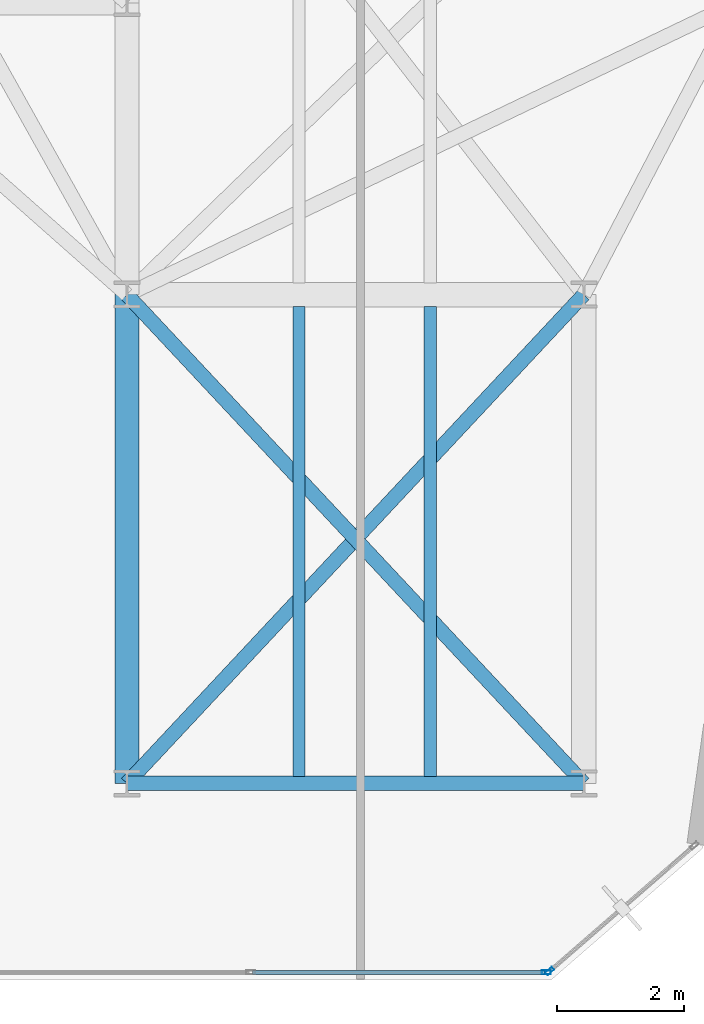
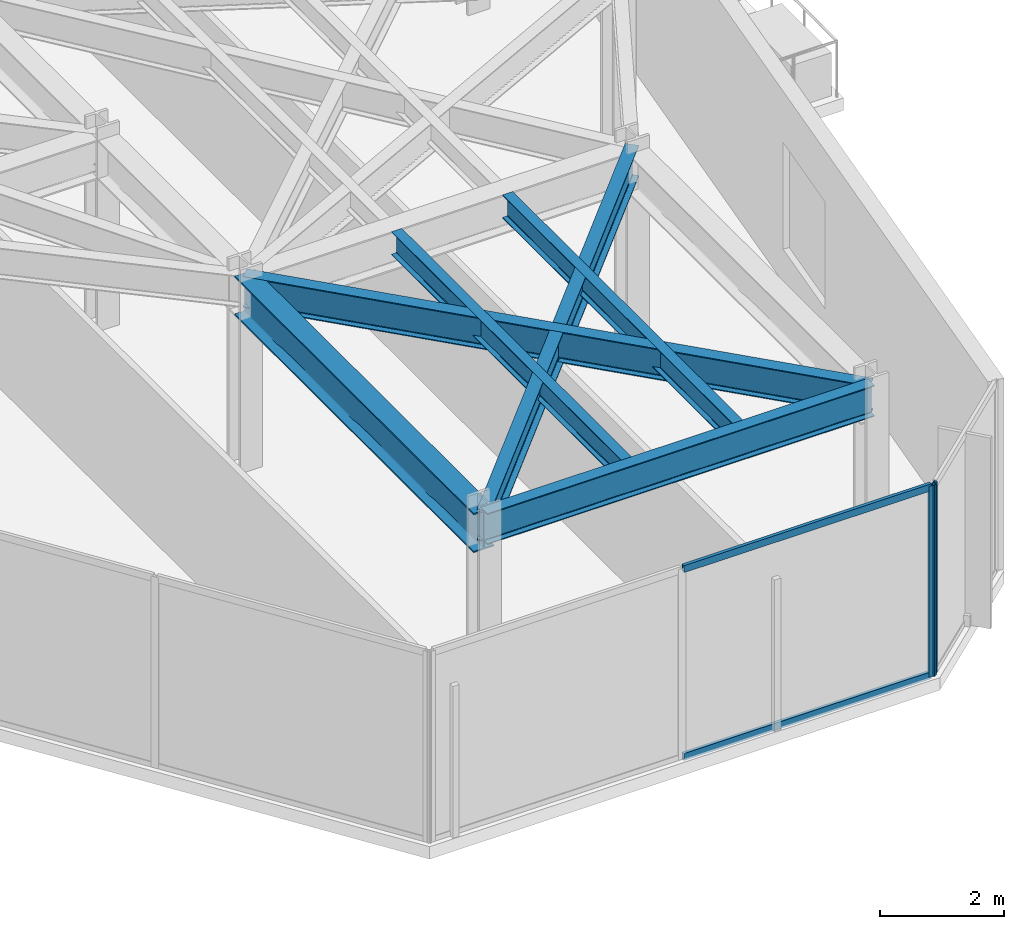
# One storey, part 17 of 26: 6 beams, 4 members, 2 elements without a shape of their own.
"""IFC4 building model written with IfcOpenShell, lengths in metres."""

from ifc_helpers import new_model, si_unit, direction, frame, origin, origin_2d, place, context, subcontext, project, spatial, hollow_rectangle, i_section, extrude, material, layer, layer_set, material_profile, profile_set, type_object, element, aggregate, save


model = new_model("IFC4")

# Units and contexts
model_context = context("Model", 3, precision=1e-05, world=origin(), true_north=direction((0.0, 1.0)))
body_context = subcontext(model_context, "Body", "Model", "MODEL_VIEW")
ifc_project = project(units=[si_unit("LENGTHUNIT", "METRE"), si_unit("AREAUNIT", "SQUARE_METRE"), si_unit("VOLUMEUNIT", "CUBIC_METRE"), si_unit("PLANEANGLEUNIT", "RADIAN"), si_unit("MASSUNIT", "GRAM", prefix="KILO")], contexts=[model_context])

# Site, building, storey
site_placement = place(None, origin())
site = spatial("IfcSite", under=ifc_project, at=site_placement, CompositionType="ELEMENT")
building_placement = place(site_placement, origin())
building = spatial("IfcBuilding", under=site, at=building_placement, Name="Kravanh Interchange Tower", CompositionType="ELEMENT")
storey_placement = place(building_placement, frame((0.0, 0.0, 172.5)))
storey = spatial("IfcBuildingStorey", under=building, at=storey_placement, Name="L41", CompositionType="ELEMENT", Elevation=172.5)

# Curtain wall, member
ifc_material_1 = material(Name="Anodised Bronze Aluminium", Category="aluminium")
ifc_layer = layer(ifc_material_1, 0.179931640625)
ifc_layer_set = layer_set([ifc_layer], Name="Unitised Curtain Wall System CW-Z3 Upper Office")
curtain_wall_type = type_object("IfcCurtainWallType", Name="Unitised Curtain Wall System CW-Z3 Upper Office", PredefinedType="NOTDEFINED", material=ifc_layer_set)
curtain_wall_1_placement = place(storey_placement, origin())
curtain_wall_1 = element("IfcCurtainWall", 1, at=curtain_wall_1_placement, inside=storey, type_object=curtain_wall_type, Name="L41 Unitised Curtain Wall CW-L41-02", PredefinedType="NOTDEFINED")
ifc_material_2 = material(Name="Anodised Bronze Aluminium", Category="aluminium")
ifc_material_profile_1 = material_profile(ifc_material_2, hollow_rectangle(XDim=0.06005859375, YDim=0.139892578125, WallThickness=0.00390625, at=origin_2d()), Name="ALU60X140X4")
ifc_profile_set_1 = profile_set([ifc_material_profile_1], Name="Anodised Bronze Aluminium")
member_type_1 = type_object("IfcMemberType", Name="Curtain Wall Mullion ALU60X140X4 Bronze", PredefinedType="MULLION", material=ifc_profile_set_1)
member_1_placement = place(storey_placement, frame((62.66357421875, 11.539794921875, 0.0), z_axis=(0.0, 0.0, 1.0), x_axis=(0.65605090137, -0.754716645379, 0.0)))
member_1 = element("IfcMember", 2, at=member_1_placement, type_object=member_type_1, Name="CW-Z3 mullion 2", PredefinedType="MULLION", context=body_context, shape_type="SweptSolid", body=[
    extrude(hollow_rectangle(XDim=0.06005859375, YDim=0.139892578125, WallThickness=0.00390625, at=origin_2d()), origin(), (0.0, 0.0, 1.0), 3.7548828125),
])
aggregate(curtain_wall_1, [member_1])

# Curtain wall, members
curtain_wall_2_placement = place(storey_placement, origin())
curtain_wall_2 = element("IfcCurtainWall", 3, at=curtain_wall_2_placement, inside=storey, type_object=curtain_wall_type, Name="L41 Unitised Curtain Wall CW-L41-03", PredefinedType="NOTDEFINED")
member_2_placement = place(storey_placement, frame((62.611083984375, 11.52001953125, 0.0), z_axis=(0.0, 0.0, 1.0), x_axis=(0.0, -1.0, 0.0)))
member_2 = element("IfcMember", 4, at=member_2_placement, type_object=member_type_1, Name="CW-Z3 mullion 1", PredefinedType="MULLION", context=body_context, shape_type="SweptSolid", body=[
    extrude(hollow_rectangle(XDim=0.06005859375, YDim=0.139892578125, WallThickness=0.00390625, at=origin_2d()), origin(), (0.0, 0.0, 1.0), 3.7548828125),
])
ifc_material_3 = material(Name="Anodised Bronze Aluminium", Category="aluminium")
ifc_material_profile_2 = material_profile(ifc_material_3, hollow_rectangle(XDim=0.06005859375, YDim=0.139892578125, WallThickness=0.00390625, at=origin_2d()), Name="ALU60X140X4")
ifc_profile_set_2 = profile_set([ifc_material_profile_2], Name="Anodised Bronze Aluminium")
member_type_2 = type_object("IfcMemberType", Name="Curtain Wall Transom ALU60X140X4 Bronze", PredefinedType="USERDEFINED", material=ifc_profile_set_2)
member_3_placement = place(storey_placement, frame((62.5810546875, 11.52001953125, 0.030029296875), z_axis=(-1.0, 0.0, 0.0), x_axis=(0.0, -1.0, 0.0)))
member_3 = element("IfcMember", 5, at=member_3_placement, type_object=member_type_2, Name="CW-Z3 transom 1.1", ObjectType="TRANSOM", PredefinedType="USERDEFINED", context=body_context, shape_type="SweptSolid", body=[
    extrude(hollow_rectangle(XDim=0.06005859375, YDim=0.139892578125, WallThickness=0.00390625, at=origin_2d()), origin(), (0.0, 0.0, 1.0), 4.59912109375),
])
member_4_placement = place(storey_placement, frame((62.5810546875, 11.52001953125, 3.72509765625), z_axis=(-1.0, 0.0, 0.0), x_axis=(0.0, -1.0, 0.0)))
member_4 = element("IfcMember", 6, at=member_4_placement, type_object=member_type_2, Name="CW-Z3 transom 1.2", ObjectType="TRANSOM", PredefinedType="USERDEFINED", context=body_context, shape_type="SweptSolid", body=[
    extrude(hollow_rectangle(XDim=0.06005859375, YDim=0.139892578125, WallThickness=0.00390625, at=origin_2d()), origin(), (0.0, 0.0, 1.0), 4.59912109375),
])
aggregate(curtain_wall_2, [member_2, member_3, member_4])

# Beams
ifc_material_4 = material(Name="Structural Steel S355", Category="steel")
ifc_material_profile_3 = material_profile(ifc_material_4, i_section(OverallWidth=0.381103515625, OverallDepth=0.77294921875, WebThickness=0.0166015625, FlangeThickness=0.027099609375, FilletRadius=0.02490234375, at=origin_2d()), Name="W30X173")
ifc_profile_set_3 = profile_set([ifc_material_profile_3], Name="Structural Steel S355")
beam_type_1 = type_object("IfcBeamType", Name="Floor Beam W30X173 Structural Steel S355", PredefinedType="BEAM", material=ifc_profile_set_3)
beam_1_placement = place(storey_placement, frame((56.0, 14.5, 3.368408203125), z_axis=(0.0, 1.0, 0.0), x_axis=(-1.0, 0.0, 0.0)))
element("IfcBeam", 7, at=beam_1_placement, inside=storey, type_object=beam_type_1, Name="L41 Primary Floor Girder 87", PredefinedType="BEAM", context=body_context, shape_type="SweptSolid", body=[
    extrude(i_section(OverallWidth=0.381103515625, OverallDepth=0.77294921875, WebThickness=0.0166015625, FlangeThickness=0.027099609375, FilletRadius=0.02490234375, at=origin_2d()), origin(), (0.0, 0.0, 1.0), 7.699951171875),
])
ifc_material_5 = material(Name="Structural Steel S355", Category="steel")
ifc_material_profile_4 = material_profile(ifc_material_5, i_section(OverallWidth=0.18994140625, OverallDepth=0.45703125, WebThickness=0.009033203125, FlangeThickness=0.014404296875, FilletRadius=0.01806640625, at=origin_2d()), Name="W18X50")
ifc_profile_set_4 = profile_set([ifc_material_profile_4], Name="Structural Steel S355")
beam_type_2 = type_object("IfcBeamType", Name="Floor Joist W18X50 Structural Steel S355", PredefinedType="JOIST", material=ifc_profile_set_4)
for number, where, z_axis, x_axis, name in (
    (8, (58.715087890625, 14.60888671875, 3.526611328125), (0.0, 1.0, 0.0), (-1.0, 0.0, 0.0), "L41 Secondary Floor Joist 3"),
    (9, (60.780029296875, 14.60888671875, 3.526611328125), (0.0, 1.0, 0.0), (-1.0, 0.0, 0.0), "L41 Secondary Floor Joist 4"),
):
    element("IfcBeam", number, at=place(storey_placement, frame(where, z_axis=z_axis, x_axis=x_axis)), inside=storey, type_object=beam_type_2, Name=name, PredefinedType="JOIST", context=body_context, shape_type="SweptSolid", body=[
        extrude(i_section(OverallWidth=0.18994140625, OverallDepth=0.45703125, WebThickness=0.009033203125, FlangeThickness=0.014404296875, FilletRadius=0.01806640625, at=origin_2d()), origin(), (0.0, 0.0, 1.0), 7.405517578125),
    ])
ifc_material_6 = material(Name="Structural Steel S355", Category="steel")
ifc_material_profile_5 = material_profile(ifc_material_6, i_section(OverallWidth=0.22802734375, OverallDepth=0.60791015625, WebThickness=0.01123046875, FlangeThickness=0.017333984375, FilletRadius=0.02197265625, at=origin_2d()), Name="W24X76")
ifc_profile_set_5 = profile_set([ifc_material_profile_5], Name="Structural Steel S355")
beam_type_3 = type_object("IfcBeamType", Name="Floor Spandrel W24X76 Structural Steel S355", PredefinedType="SPANDREL", material=ifc_profile_set_5)
beam_2_placement = place(storey_placement, frame((56.0, 14.5, 3.450927734375), z_axis=(1.0, 0.0, 0.0), x_axis=(0.0, 1.0, 0.0)))
element("IfcBeam", 10, at=beam_2_placement, inside=storey, type_object=beam_type_3, Name="L41 Perimeter Spandrel 86", PredefinedType="SPANDREL", context=body_context, shape_type="SweptSolid", body=[
    extrude(i_section(OverallWidth=0.22802734375, OverallDepth=0.60791015625, WebThickness=0.01123046875, FlangeThickness=0.017333984375, FilletRadius=0.02197265625, at=origin_2d()), origin(), (0.0, 0.0, 1.0), 7.199951171875),
])
for number, where, z_axis, x_axis, name in (
    (11, (56.0, 14.5, 3.450927734375), (0.682993762113, 0.73042420614, 0.0), (-0.73042420614, 0.682993762113, 0.0), "L41 Perimeter Spandrel 88"),
    (12, (63.199951171875, 14.5, 3.450927734375), (-0.682993762113, 0.73042420614, 0.0), (-0.73042420614, -0.682993762113, 0.0), "L41 Perimeter Spandrel 90"),
):
    element("IfcBeam", number, at=place(storey_placement, frame(where, z_axis=z_axis, x_axis=x_axis)), inside=storey, type_object=beam_type_3, Name=name, PredefinedType="SPANDREL", context=body_context, shape_type="SweptSolid", body=[
        extrude(i_section(OverallWidth=0.22802734375, OverallDepth=0.60791015625, WebThickness=0.01123046875, FlangeThickness=0.017333984375, FilletRadius=0.02197265625, at=origin_2d()), origin(), (0.0, 0.0, 1.0), 10.541748046875),
    ])

save(model, "model.ifc")
